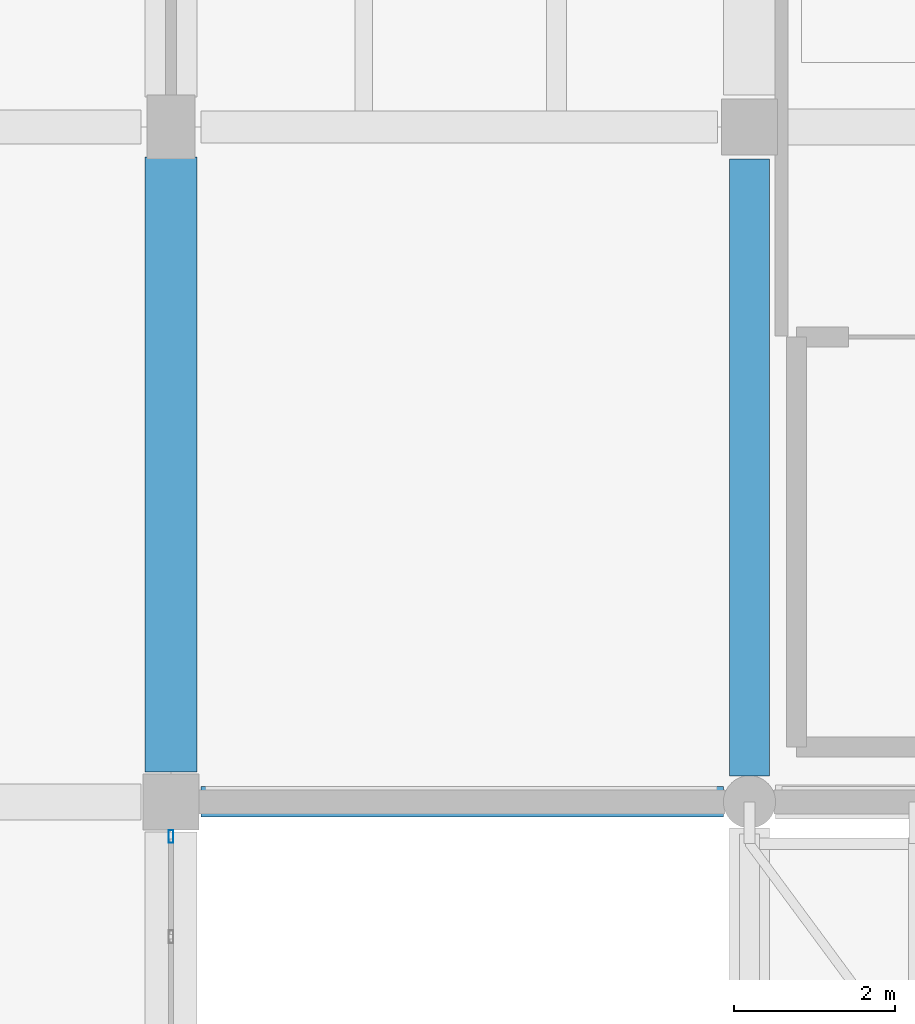
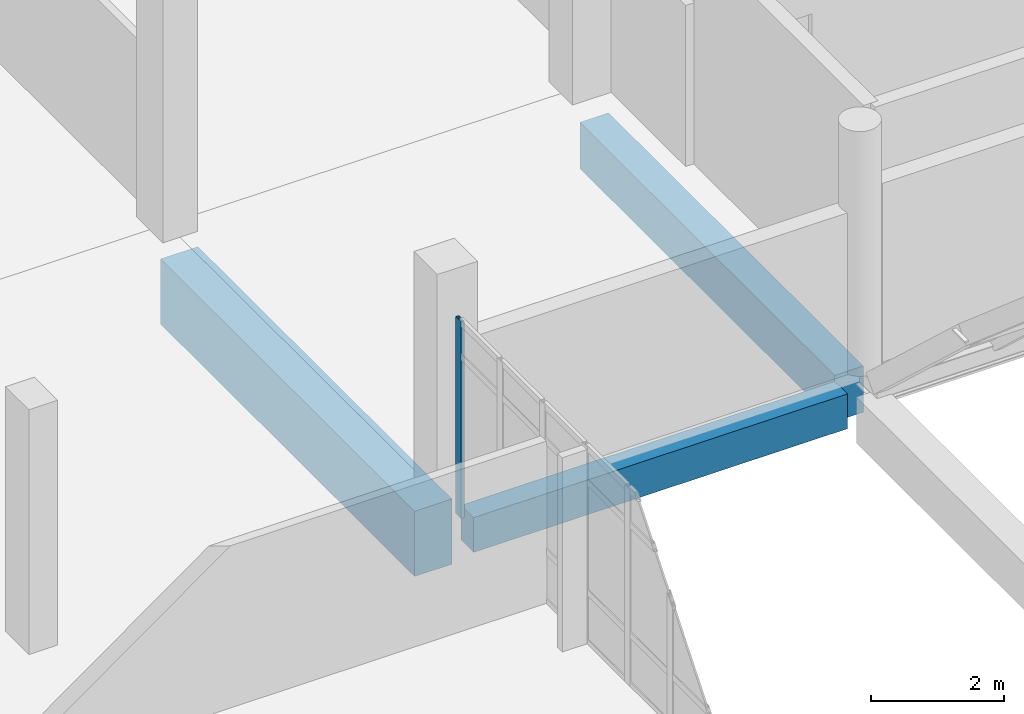
# One storey, part 35 of 87: 3 beams, 1 member, 1 element without a shape of its own.
"""IFC4 building model written with IfcOpenShell, lengths in metres."""

from ifc_helpers import new_model, si_unit, direction, frame, origin, origin_2d, place, context, subcontext, project, spatial, rectangle, hollow_rectangle, extrude, material, material_profile, profile_set, type_object, element, aggregate, save


model = new_model("IFC4")

# Units and contexts
model_context = context("Model", 3, precision=1e-05, world=origin(), true_north=direction((0.0, 1.0)))
body_context = subcontext(model_context, "Body", "Model", "MODEL_VIEW")
ifc_project = project(units=[si_unit("LENGTHUNIT", "METRE"), si_unit("AREAUNIT", "SQUARE_METRE"), si_unit("VOLUMEUNIT", "CUBIC_METRE"), si_unit("PLANEANGLEUNIT", "RADIAN"), si_unit("MASSUNIT", "GRAM", prefix="KILO")], contexts=[model_context])

# Site, building, storey
site_placement = place(None, origin())
site = spatial("IfcSite", under=ifc_project, at=site_placement, CompositionType="ELEMENT")
building_placement = place(site_placement, origin())
building = spatial("IfcBuilding", under=site, at=building_placement, Name="Kalluvel Institute of Natural Sciences", CompositionType="ELEMENT")
storey_placement = place(building_placement, frame((0.0, 0.0, 18.89990234375)))
storey = spatial("IfcBuildingStorey", under=building, at=storey_placement, Name="L04", CompositionType="ELEMENT", Elevation=18.89990234375)

# Beams
ifc_material_1 = material(Name="Concrete M40", Category="concrete")
ifc_material_profile_1 = material_profile(ifc_material_1, rectangle(XDim=0.3798828125, YDim=0.639892578125, at=origin_2d()), Name="RCB 380x640")
ifc_profile_set_1 = profile_set([ifc_material_profile_1], Name="Concrete M40")
beam_type_1 = type_object("IfcBeamType", Name="BM-RC380x640", PredefinedType="BEAM", material=ifc_profile_set_1)
beam_1_placement = place(storey_placement, frame((35.97509765625, 94.39990234375, -0.639892578125), z_axis=(1.0, 0.0, 0.0), x_axis=(0.0, 1.0, 0.0)))
element("IfcBeam", 1, at=beam_1_placement, inside=storey, type_object=beam_type_1, Name="L04 girder GIR-L04-EW-X356-Y944", PredefinedType="BEAM", context=body_context, shape_type="SweptSolid", body=[
    extrude(rectangle(XDim=0.3798828125, YDim=0.639892578125, at=origin_2d()), origin(), (0.0, 0.0, 1.0), 6.5),
])
ifc_material_2 = material(Name="Concrete M50", Category="concrete")
ifc_material_profile_2 = material_profile(ifc_material_2, rectangle(XDim=0.5, YDim=0.85009765625, at=origin_2d()), Name="RCB 500x850")
ifc_profile_set_2 = profile_set([ifc_material_profile_2], Name="Concrete M50")
beam_type_2 = type_object("IfcBeamType", Name="BM-RC500x850", PredefinedType="BEAM", material=ifc_profile_set_2)
beam_2_placement = place(storey_placement, frame((42.800048828125, 94.72509765625, -0.744873046875), z_axis=(0.0, 1.0, 0.0), x_axis=(-1.0, 0.0, 0.0)))
element("IfcBeam", 2, at=beam_2_placement, inside=storey, type_object=beam_type_2, Name="L04 girder GIR-L04-NS-X428-Y944", PredefinedType="BEAM", context=body_context, shape_type="SweptSolid", body=[
    extrude(rectangle(XDim=0.5, YDim=0.85009765625, at=origin_2d()), origin(), (0.0, 0.0, 1.0), 7.6748046875),
])
ifc_material_profile_3 = material_profile(ifc_material_2, rectangle(XDim=0.64990234375, YDim=1.199951171875, at=origin_2d()), Name="RCB 650x1200")
ifc_profile_set_3 = profile_set([ifc_material_profile_3], Name="Concrete M50")
beam_type_3 = type_object("IfcBeamType", Name="BM-RC650x1200", PredefinedType="BEAM", material=ifc_profile_set_3)
beam_3_placement = place(storey_placement, frame((35.60009765625, 94.77490234375, -0.89990234375), z_axis=(0.0, 1.0, 0.0), x_axis=(-1.0, 0.0, 0.0)))
element("IfcBeam", 3, at=beam_3_placement, inside=storey, type_object=beam_type_3, Name="L04 girder GIR-L04-NS-X356-Y944", PredefinedType="BEAM", context=body_context, shape_type="SweptSolid", body=[
    extrude(rectangle(XDim=0.64990234375, YDim=1.199951171875, at=origin_2d()), origin(), (0.0, 0.0, 1.0), 7.650146484375),
])

# Curtain wall, member
ifc_material_3 = material(Name="Aluminium AW-6063 T6", Category="aluminium")
curtain_wall_type = type_object("IfcCurtainWallType", Name="CW-DRY-45", PredefinedType="USERDEFINED", material=ifc_material_3)
curtain_wall_placement = place(storey_placement, origin())
curtain_wall = element("IfcCurtainWall", 4, at=curtain_wall_placement, inside=storey, type_object=curtain_wall_type, Name="L04 Gothic lancet curtain wall CWA-L04-X356-Y863", ObjectType="UNITISED LANCET FACADE", PredefinedType="USERDEFINED")
ifc_material_profile_4 = material_profile(ifc_material_3, hollow_rectangle(XDim=0.06005859375, YDim=0.159912109375, WallThickness=0.00390625, at=origin_2d()), Name="CWM 60x160")
ifc_profile_set_4 = profile_set([ifc_material_profile_4], Name="Aluminium AW-6063 T6")
member_type = type_object("IfcMemberType", Name="CWM-60x160", PredefinedType="MULLION", material=ifc_profile_set_4)
member_placement = place(storey_placement, frame((35.60009765625, 93.969970703125, 0.0), z_axis=(0.0, 0.0, 1.0), x_axis=(-1.0, 0.0, 0.0)))
member = element("IfcMember", 5, at=member_placement, type_object=member_type, Name="CW-03 mullion 7", PredefinedType="MULLION", context=body_context, shape_type="SweptSolid", body=[
    extrude(hollow_rectangle(XDim=0.06005859375, YDim=0.159912109375, WallThickness=0.00390625, at=origin_2d()), origin(), (0.0, 0.0, 1.0), 3.6201171875),
])
aggregate(curtain_wall, [member])

save(model, "model.ifc")
